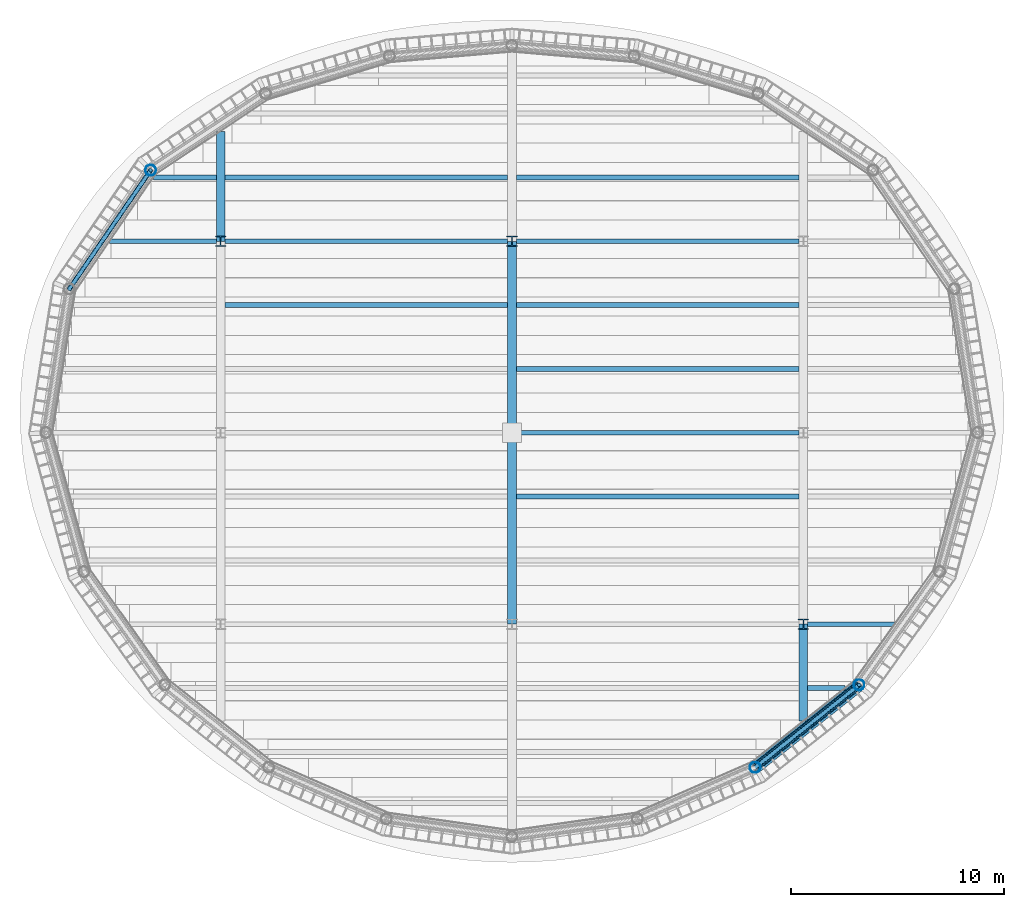
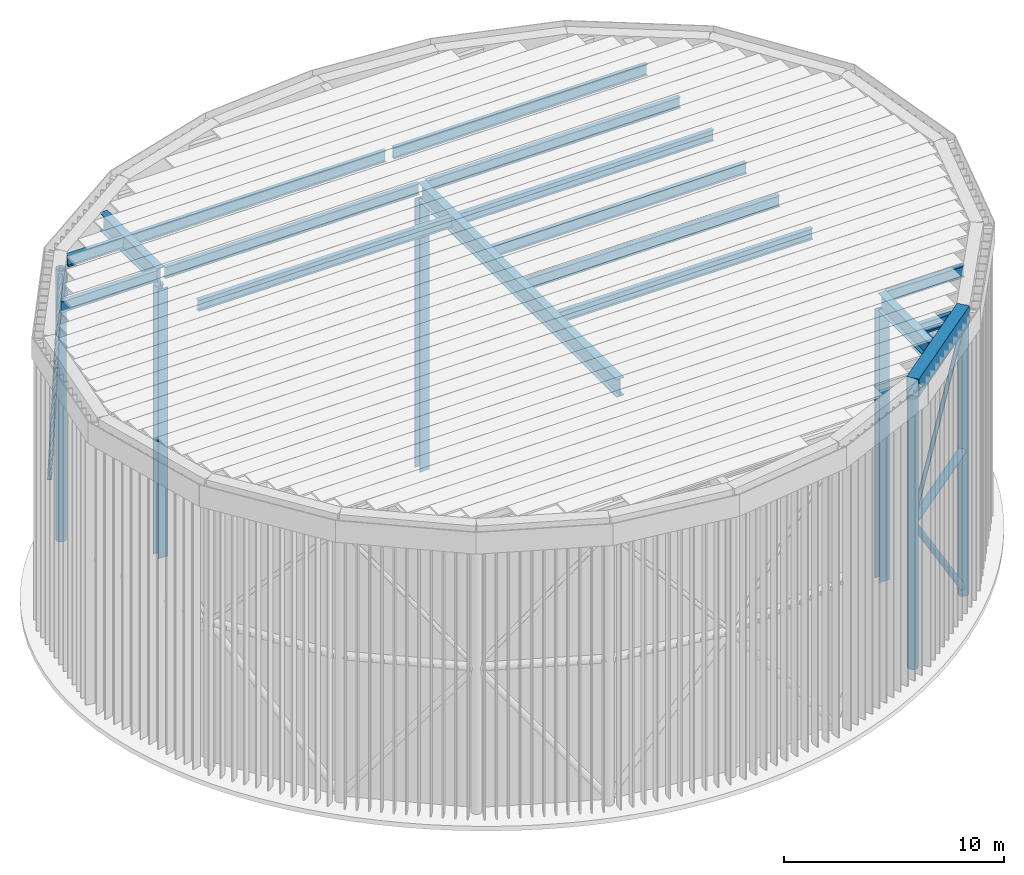
# One storey, part 2 of 11: 18 beams, 9 members.
"""IFC4 building model written with IfcOpenShell, lengths in metres."""

from ifc_helpers import new_model, si_unit, direction, frame, origin, origin_2d, place, context, subcontext, project, spatial, hollow_rectangle, hollow_circle, i_section, extrude, material, material_profile, profile_set, type_object, element, save


model = new_model("IFC4")

# Units and contexts
model_context = context("Model", 3, precision=1e-05, world=origin(), true_north=direction((0.0, 1.0)))
body_context = subcontext(model_context, "Body", "Model", "MODEL_VIEW")
ifc_project = project(units=[si_unit("LENGTHUNIT", "METRE"), si_unit("AREAUNIT", "SQUARE_METRE"), si_unit("VOLUMEUNIT", "CUBIC_METRE"), si_unit("PLANEANGLEUNIT", "RADIAN"), si_unit("MASSUNIT", "GRAM", prefix="KILO")], contexts=[model_context])

# Site, building, storey
site_placement = place(None, origin())
site = spatial("IfcSite", under=ifc_project, at=site_placement, CompositionType="ELEMENT")
building_placement = place(site_placement, origin())
building = spatial("IfcBuilding", under=site, at=building_placement, Name="Marramba Exchange Tower", CompositionType="ELEMENT")
storey_placement = place(building_placement, frame((0.0, 0.0, 282.0)))
storey = spatial("IfcBuildingStorey", under=building, at=storey_placement, Name="Roof crown", CompositionType="ELEMENT", Elevation=282.0)

# Member
ifc_material_1 = material(Name="Steel AS/NZS 1163 grade C350L0", Category="steel")
ifc_material_profile_1 = material_profile(ifc_material_1, hollow_circle(Radius=0.161865234375, WallThickness=0.0126953125, at=origin_2d()), Name="323.9x12.7CHS")
ifc_profile_set_1 = profile_set([ifc_material_profile_1], Name="Steel AS/NZS 1163 grade C350L0")
member_type_1 = type_object("IfcMemberType", Name="CROWN FRAME BRACE 323.9x12.7CHS", PredefinedType="BRACE", material=ifc_profile_set_1)
member_1_placement = place(storey_placement, frame((16.3154296875, -11.853759765625, 0.300048828125), z_axis=(-0.492961552551, -0.391432512716, 0.777026058569), x_axis=(0.621846138887, -0.783139438128, 0.0)))
element("IfcMember", 1, at=member_1_placement, inside=storey, type_object=member_type_1, Name="Crown frame brace 18", PredefinedType="BRACE", context=body_context, shape_type="SweptSolid", body=[
    extrude(hollow_circle(Radius=0.161865234375, WallThickness=0.0126953125, at=origin_2d()), origin(), (0.0, 0.0, 1.0), 9.909423828125),
])

# Beam
ifc_material_2 = material(Name="Steel AS/NZS 3678 grade 350", Category="steel")
ifc_material_profile_2 = material_profile(ifc_material_2, hollow_rectangle(XDim=0.60009765625, YDim=1.0, WallThickness=0.02490234375, at=origin_2d()), Name="1000x600x25BOX")
ifc_profile_set_2 = profile_set([ifc_material_profile_2], Name="Steel AS/NZS 3678 grade 350")
beam_type_1 = type_object("IfcBeamType", Name="CROWN FRAME CAP RING 1000x600x25BOX", PredefinedType="BEAM", material=ifc_profile_set_2)
beam_1_placement = place(storey_placement, frame((11.430419921875, -15.732666015625, 15.5), z_axis=(0.783139438128, 0.621846138887, 0.0), x_axis=(-0.621846138887, 0.783139438128, 0.0)))
element("IfcBeam", 2, at=beam_1_placement, inside=storey, type_object=beam_type_1, Name="Crown frame cap ring 18", PredefinedType="BEAM", context=body_context, shape_type="SweptSolid", body=[
    extrude(hollow_rectangle(XDim=0.60009765625, YDim=1.0, WallThickness=0.02490234375, at=origin_2d()), origin(), (0.0, 0.0, 1.0), 6.23779296875),
])

# Members
ifc_material_3 = material(Name="Steel AS/NZS 3679.2 grade 300", Category="steel")
ifc_material_profile_3 = material_profile(ifc_material_3, i_section(OverallWidth=0.5, OverallDepth=0.47998046875, WebThickness=0.0400390625, FlangeThickness=0.0400390625, at=origin_2d()), Name="500WC440")
ifc_profile_set_3 = profile_set([ifc_material_profile_3], Name="Steel AS/NZS 3679.2 grade 300")
member_type_2 = type_object("IfcMemberType", Name="CROWN FRAME INTERIOR POST 500WC440", PredefinedType="POST", material=ifc_profile_set_3)
for number, where, z_axis, x_axis, name in (
    (3, (13.699951171875, -9.0, 0.0), (0.0, 0.0, 1.0), (1.0, 0.0, 0.0), "Crown frame interior post CF6 03"),
    (4, (0.0, 9.0, 0.0), (0.0, 0.0, 1.0), (1.0, 0.0, 0.0), "Crown frame interior post CF6 06"),
    (5, (-13.699951171875, 9.0, 0.0), (0.0, 0.0, 1.0), (1.0, 0.0, 0.0), "Crown frame interior post CF6 07"),
):
    element("IfcMember", number, at=place(storey_placement, frame(where, z_axis=z_axis, x_axis=x_axis)), inside=storey, type_object=member_type_2, Name=name, PredefinedType="POST", context=body_context, shape_type="SweptSolid", body=[
        extrude(i_section(OverallWidth=0.5, OverallDepth=0.47998046875, WebThickness=0.0400390625, FlangeThickness=0.0400390625, at=origin_2d()), origin(), (0.0, 0.0, 1.0), 14.89990234375),
    ])
ifc_material_profile_4 = material_profile(ifc_material_1, hollow_circle(Radius=0.25390625, WallThickness=0.0126953125, at=origin_2d()), Name="508.0x12.7CHS")
ifc_profile_set_4 = profile_set([ifc_material_profile_4], Name="Steel AS/NZS 1163 grade C350L0")
member_type_3 = type_object("IfcMemberType", Name="CROWN FRAME POST 508.0x12.7CHS", PredefinedType="POST", material=ifc_profile_set_4)
for number, where, z_axis, x_axis, name in (
    (6, (-16.98583984375, 12.3408203125, 0.0), (0.0, 0.0, 1.0), (1.0, 0.0, 0.0), "Crown frame post CF09"),
    (7, (11.430419921875, -15.732666015625, 0.0), (0.0, 0.0, 1.0), (1.0, 0.0, 0.0), "Crown frame post CF18"),
    (8, (16.3154296875, -11.853759765625, 0.0), (0.0, 0.0, 1.0), (1.0, 0.0, 0.0), "Crown frame post CF19"),
):
    element("IfcMember", number, at=place(storey_placement, frame(where, z_axis=z_axis, x_axis=x_axis)), inside=storey, type_object=member_type_3, Name=name, PredefinedType="POST", context=body_context, shape_type="SweptSolid", body=[
        extrude(hollow_circle(Radius=0.25390625, WallThickness=0.0126953125, at=origin_2d()), origin(), (0.0, 0.0, 1.0), 15.0),
    ])

# Beams
ifc_material_profile_5 = material_profile(ifc_material_1, hollow_circle(Radius=0.203125, WallThickness=0.0126953125, at=origin_2d()), Name="406.4x12.7CHS")
ifc_profile_set_5 = profile_set([ifc_material_profile_5], Name="Steel AS/NZS 1163 grade C350L0")
beam_type_2 = type_object("IfcBeamType", Name="CROWN FRAME RING 406.4x12.7CHS", PredefinedType="BEAM", material=ifc_profile_set_5)
beam_2_placement = place(storey_placement, frame((11.430419921875, -15.732666015625, 8.0), z_axis=(0.783139438128, 0.621846138887, 0.0), x_axis=(-0.621846138887, 0.783139438128, 0.0)))
element("IfcBeam", 9, at=beam_2_placement, inside=storey, type_object=beam_type_2, Name="Crown frame ring mid 18", PredefinedType="BEAM", context=body_context, shape_type="SweptSolid", body=[
    extrude(hollow_circle(Radius=0.203125, WallThickness=0.0126953125, at=origin_2d()), origin(), (0.0, 0.0, 1.0), 6.23779296875),
])
ifc_material_profile_6 = material_profile(ifc_material_3, i_section(OverallWidth=0.39990234375, OverallDepth=1.0, WebThickness=0.01611328125, FlangeThickness=0.031982421875, at=origin_2d()), Name="1000WB322")
ifc_profile_set_6 = profile_set([ifc_material_profile_6], Name="Steel AS/NZS 3679.2 grade 300")
beam_type_3 = type_object("IfcBeamType", Name="CROWN FRAME ROOF GIRDER 1000WB322", PredefinedType="BEAM", material=ifc_profile_set_6)
beam_3_placement = place(storey_placement, frame((-13.699951171875, 9.0, 15.39990234375), z_axis=(0.0, 1.0, 0.0), x_axis=(-1.0, 0.0, 0.0)))
element("IfcBeam", 10, at=beam_3_placement, inside=storey, type_object=beam_type_3, Name="Crown frame roof girder CF7 04", PredefinedType="BEAM", context=body_context, shape_type="SweptSolid", body=[
    extrude(i_section(OverallWidth=0.39990234375, OverallDepth=1.0, WebThickness=0.01611328125, FlangeThickness=0.031982421875, at=origin_2d()), origin(), (0.0, 0.0, 1.0), 5.1689453125),
])
beam_4_placement = place(storey_placement, frame((0.0, -9.0, 15.39990234375), z_axis=(0.0, 1.0, 0.0), x_axis=(-1.0, 0.0, 0.0)))
element("IfcBeam", 11, at=beam_4_placement, inside=storey, type_object=beam_type_3, Name="Crown frame roof girder CF7 06", PredefinedType="BEAM", context=body_context, shape_type="SweptSolid", body=[
    extrude(i_section(OverallWidth=0.39990234375, OverallDepth=1.0, WebThickness=0.01611328125, FlangeThickness=0.031982421875, at=origin_2d()), origin(), (0.0, 0.0, 1.0), 18.0),
])
beam_5_placement = place(storey_placement, frame((13.699951171875, -13.54736328125, 15.39990234375), z_axis=(0.0, 1.0, 0.0), x_axis=(-1.0, 0.0, 0.0)))
element("IfcBeam", 12, at=beam_5_placement, inside=storey, type_object=beam_type_3, Name="Crown frame roof girder CF7 08", PredefinedType="BEAM", context=body_context, shape_type="SweptSolid", body=[
    extrude(i_section(OverallWidth=0.39990234375, OverallDepth=1.0, WebThickness=0.01611328125, FlangeThickness=0.031982421875, at=origin_2d()), origin(), (0.0, 0.0, 1.0), 4.54736328125),
])
ifc_material_4 = material(Name="Steel AS/NZS 3679.1 grade 300", Category="steel")
ifc_material_profile_7 = material_profile(ifc_material_4, i_section(OverallWidth=0.22900390625, OverallDepth=0.612060546875, WebThickness=0.011962890625, FlangeThickness=0.01953125, FilletRadius=0.013916015625, at=origin_2d()), Name="610UB125")
ifc_profile_set_7 = profile_set([ifc_material_profile_7], Name="Steel AS/NZS 3679.1 grade 300")
beam_type_4 = type_object("IfcBeamType", Name="CROWN FRAME ROOF JOIST 610UB125", PredefinedType="JOIST", material=ifc_profile_set_7)
beam_6_placement = place(storey_placement, frame((13.89990234375, -12.0, 15.593994140625), z_axis=(1.0, 0.0, 0.0), x_axis=(0.0, 1.0, 0.0)))
element("IfcBeam", 13, at=beam_6_placement, inside=storey, type_object=beam_type_4, Name="Crown frame roof joist CF8 08", PredefinedType="JOIST", context=body_context, shape_type="SweptSolid", body=[
    extrude(i_section(OverallWidth=0.22900390625, OverallDepth=0.612060546875, WebThickness=0.011962890625, FlangeThickness=0.01953125, FilletRadius=0.013916015625, at=origin_2d()), origin(), (0.0, 0.0, 1.0), 1.7490234375),
])
beam_7_placement = place(storey_placement, frame((13.89990234375, -9.0, 15.593994140625), z_axis=(1.0, 0.0, 0.0), x_axis=(0.0, 1.0, 0.0)))
element("IfcBeam", 14, at=beam_7_placement, inside=storey, type_object=beam_type_4, Name="Crown frame roof joist CF8 12", PredefinedType="JOIST", context=body_context, shape_type="SweptSolid", body=[
    extrude(i_section(OverallWidth=0.22900390625, OverallDepth=0.612060546875, WebThickness=0.011962890625, FlangeThickness=0.01953125, FilletRadius=0.013916015625, at=origin_2d()), origin(), (0.0, 0.0, 1.0), 4.082275390625),
])
for number, where, z_axis, x_axis, name in (
    (15, (0.199951171875, -3.0, 15.593994140625), (1.0, 0.0, 0.0), (0.0, 1.0, 0.0), "Crown frame roof joist CF8 19"),
    (16, (0.199951171875, 0.0, 15.593994140625), (1.0, 0.0, 0.0), (0.0, 1.0, 0.0), "Crown frame roof joist CF8 23"),
    (17, (0.199951171875, 3.0, 15.593994140625), (1.0, 0.0, 0.0), (0.0, 1.0, 0.0), "Crown frame roof joist CF8 27"),
    (18, (-13.5, 6.0, 15.593994140625), (1.0, 0.0, 0.0), (0.0, 1.0, 0.0), "Crown frame roof joist CF8 30"),
    (19, (0.199951171875, 6.0, 15.593994140625), (1.0, 0.0, 0.0), (0.0, 1.0, 0.0), "Crown frame roof joist CF8 31"),
):
    element("IfcBeam", number, at=place(storey_placement, frame(where, z_axis=z_axis, x_axis=x_axis)), inside=storey, type_object=beam_type_4, Name=name, PredefinedType="JOIST", context=body_context, shape_type="SweptSolid", body=[
        extrude(i_section(OverallWidth=0.22900390625, OverallDepth=0.612060546875, WebThickness=0.011962890625, FlangeThickness=0.01953125, FilletRadius=0.013916015625, at=origin_2d()), origin(), (0.0, 0.0, 1.0), 13.300048828125),
    ])
beam_8_placement = place(storey_placement, frame((-18.910888671875, 9.0, 15.593994140625), z_axis=(1.0, 0.0, 0.0), x_axis=(0.0, 1.0, 0.0)))
element("IfcBeam", 20, at=beam_8_placement, inside=storey, type_object=beam_type_4, Name="Crown frame roof joist CF8 33", PredefinedType="JOIST", context=body_context, shape_type="SweptSolid", body=[
    extrude(i_section(OverallWidth=0.22900390625, OverallDepth=0.612060546875, WebThickness=0.011962890625, FlangeThickness=0.01953125, FilletRadius=0.013916015625, at=origin_2d()), origin(), (0.0, 0.0, 1.0), 5.010986328125),
])
for number, where, z_axis, x_axis, name in (
    (21, (-13.5, 9.0, 15.593994140625), (1.0, 0.0, 0.0), (0.0, 1.0, 0.0), "Crown frame roof joist CF8 34"),
    (22, (0.199951171875, 9.0, 15.593994140625), (1.0, 0.0, 0.0), (0.0, 1.0, 0.0), "Crown frame roof joist CF8 35"),
):
    element("IfcBeam", number, at=place(storey_placement, frame(where, z_axis=z_axis, x_axis=x_axis)), inside=storey, type_object=beam_type_4, Name=name, PredefinedType="JOIST", context=body_context, shape_type="SweptSolid", body=[
        extrude(i_section(OverallWidth=0.22900390625, OverallDepth=0.612060546875, WebThickness=0.011962890625, FlangeThickness=0.01953125, FilletRadius=0.013916015625, at=origin_2d()), origin(), (0.0, 0.0, 1.0), 13.300048828125),
    ])
beam_9_placement = place(storey_placement, frame((-16.85546875, 12.0, 15.593994140625), z_axis=(1.0, 0.0, 0.0), x_axis=(0.0, 1.0, 0.0)))
element("IfcBeam", 23, at=beam_9_placement, inside=storey, type_object=beam_type_4, Name="Crown frame roof joist CF8 37", PredefinedType="JOIST", context=body_context, shape_type="SweptSolid", body=[
    extrude(i_section(OverallWidth=0.22900390625, OverallDepth=0.612060546875, WebThickness=0.011962890625, FlangeThickness=0.01953125, FilletRadius=0.013916015625, at=origin_2d()), origin(), (0.0, 0.0, 1.0), 2.95556640625),
])
for number, where, z_axis, x_axis, name in (
    (24, (-13.5, 12.0, 15.593994140625), (1.0, 0.0, 0.0), (0.0, 1.0, 0.0), "Crown frame roof joist CF8 38"),
    (25, (0.199951171875, 12.0, 15.593994140625), (1.0, 0.0, 0.0), (0.0, 1.0, 0.0), "Crown frame roof joist CF8 39"),
):
    element("IfcBeam", number, at=place(storey_placement, frame(where, z_axis=z_axis, x_axis=x_axis)), inside=storey, type_object=beam_type_4, Name=name, PredefinedType="JOIST", context=body_context, shape_type="SweptSolid", body=[
        extrude(i_section(OverallWidth=0.22900390625, OverallDepth=0.612060546875, WebThickness=0.011962890625, FlangeThickness=0.01953125, FilletRadius=0.013916015625, at=origin_2d()), origin(), (0.0, 0.0, 1.0), 13.300048828125),
    ])

# Members
ifc_material_profile_8 = material_profile(ifc_material_1, hollow_circle(Radius=0.109619140625, WallThickness=0.00830078125, at=origin_2d()), Name="219.1x8.2CHS")
ifc_profile_set_8 = profile_set([ifc_material_profile_8], Name="Steel AS/NZS 1163 grade C350L0")
member_type_4 = type_object("IfcMemberType", Name="CROWN FRAME UPPER BRACE 219.1x8.2CHS", PredefinedType="BRACE", material=ifc_profile_set_8)
member_2_placement = place(storey_placement, frame((-20.808349609375, 6.760986328125, 8.0), z_axis=(0.392706299383, 0.573245351753, 0.719146389213), x_axis=(-0.824981303535, 0.56516002054, 0.0)))
element("IfcMember", 26, at=member_2_placement, inside=storey, type_object=member_type_4, Name="Crown frame brace 29", PredefinedType="BRACE", context=body_context, shape_type="SweptSolid", body=[
    extrude(hollow_circle(Radius=0.109619140625, WallThickness=0.00830078125, at=origin_2d()), origin(), (0.0, 0.0, 1.0), 9.733642578125),
])
member_3_placement = place(storey_placement, frame((11.430419921875, -15.732666015625, 8.0), z_axis=(0.521012554186, 0.413706205253, 0.746587633246), x_axis=(-0.621846138887, 0.783139438128, 0.0)))
element("IfcMember", 27, at=member_3_placement, inside=storey, type_object=member_type_4, Name="Crown frame brace 38", PredefinedType="BRACE", context=body_context, shape_type="SweptSolid", body=[
    extrude(hollow_circle(Radius=0.109619140625, WallThickness=0.00830078125, at=origin_2d()), origin(), (0.0, 0.0, 1.0), 9.3759765625),
])

save(model, "model.ifc")
